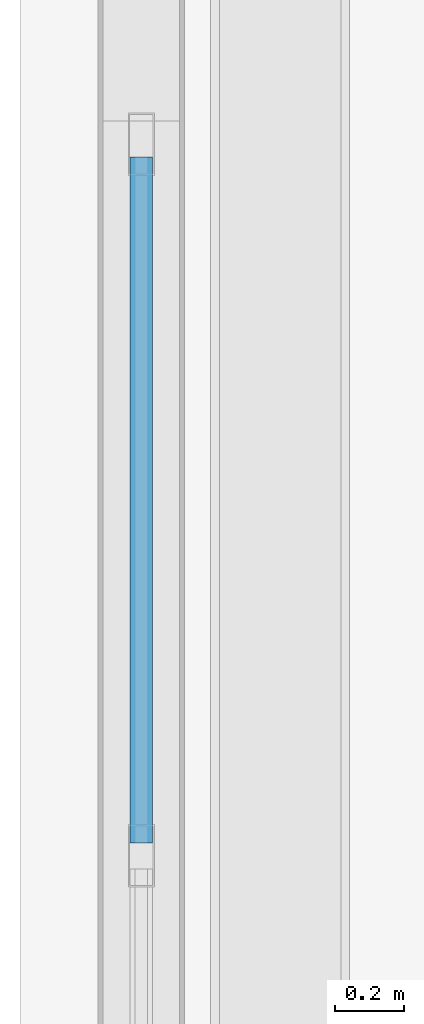
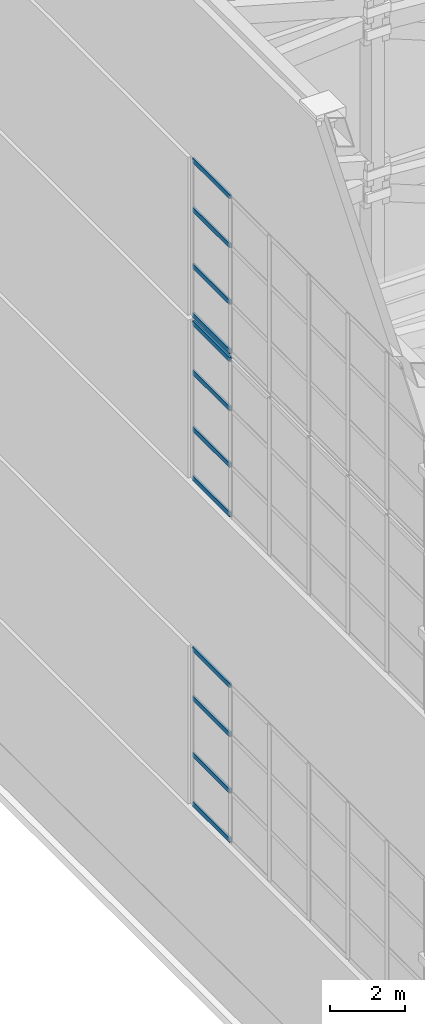
# One storey, part 19 of 47: 12 members, 3 elements without a shape of their own.
"""IFC4 building model written with IfcOpenShell, lengths in metres."""

from ifc_helpers import new_model, si_unit, direction, frame, origin, origin_2d, place, context, subcontext, project, spatial, hollow_rectangle, extrude, material, layer, layer_set, material_profile, profile_set, type_object, element, aggregate, save


model = new_model("IFC4")

# Units and contexts
model_context = context("Model", 3, precision=1e-05, world=origin(), true_north=direction((0.0, 1.0)))
body_context = subcontext(model_context, "Body", "Model", "MODEL_VIEW")
ifc_project = project(units=[si_unit("LENGTHUNIT", "METRE"), si_unit("AREAUNIT", "SQUARE_METRE"), si_unit("VOLUMEUNIT", "CUBIC_METRE"), si_unit("PLANEANGLEUNIT", "RADIAN"), si_unit("MASSUNIT", "GRAM", prefix="KILO")], contexts=[model_context])

# Site, building, storey
site_placement = place(None, origin())
site = spatial("IfcSite", under=ifc_project, at=site_placement, CompositionType="ELEMENT")
building_placement = place(site_placement, origin())
building = spatial("IfcBuilding", under=site, at=building_placement, Name="Qiaolan Cultural Towers", CompositionType="ELEMENT")
storey_placement = place(building_placement, frame((0.0, 0.0, 280.199951171875)))
storey = spatial("IfcBuildingStorey", under=building, at=storey_placement, Name="RF", CompositionType="ELEMENT", Elevation=280.199951171875)

# Curtain wall, members
ifc_material_1 = material(Name="Unitized Anodized Aluminium Curtain Wall System", Category="aluminium")
ifc_layer = layer(ifc_material_1, 0.199951171875)
ifc_layer_set = layer_set([ifc_layer], Name="Unitized Anodized Aluminium Curtain Wall System")
curtain_wall_type = type_object("IfcCurtainWallType", Name="CWS-06", PredefinedType="NOTDEFINED", material=ifc_layer_set)
curtain_wall_1_placement = place(storey_placement, origin())
curtain_wall_1 = element("IfcCurtainWall", 1, at=curtain_wall_1_placement, inside=storey, type_object=curtain_wall_type, Name="T1 Crown Tier 2 Fritted Screen Curtain Wall 7", PredefinedType="NOTDEFINED")
ifc_material_2 = material(Name="Extruded Aluminium 6063-T6", Category="aluminium")
ifc_material_profile = material_profile(ifc_material_2, hollow_rectangle(XDim=0.06494140625, YDim=0.14990234375, WallThickness=0.00390625, at=origin_2d()), Name="CWT-150x65x4")
ifc_profile_set = profile_set([ifc_material_profile], Name="Extruded Aluminium 6063-T6")
member_type = type_object("IfcMemberType", Name="CWS-06-TRN", PredefinedType="USERDEFINED", material=ifc_profile_set)
member_1_placement = place(storey_placement, frame((14.949951171875, 40.195068359375, 5.4326171875), z_axis=(0.0, -1.0, 0.0), x_axis=(1.0, 0.0, 0.0)))
member_1 = element("IfcMember", 2, at=member_1_placement, type_object=member_type, Name="CW-6 transom 1.1", ObjectType="TRANSOM", PredefinedType="USERDEFINED", context=body_context, shape_type="SweptSolid", body=[
    extrude(hollow_rectangle(XDim=0.06494140625, YDim=0.14990234375, WallThickness=0.00390625, at=origin_2d()), origin(), (0.0, 0.0, 1.0), 1.9775390625),
])
member_2_placement = place(storey_placement, frame((14.949951171875, 40.195068359375, 7.030029296875), z_axis=(0.0, -1.0, 0.0), x_axis=(1.0, 0.0, 0.0)))
member_2 = element("IfcMember", 3, at=member_2_placement, type_object=member_type, Name="CW-6 transom 1.2", ObjectType="TRANSOM", PredefinedType="USERDEFINED", context=body_context, shape_type="SweptSolid", body=[
    extrude(hollow_rectangle(XDim=0.06494140625, YDim=0.14990234375, WallThickness=0.00390625, at=origin_2d()), origin(), (0.0, 0.0, 1.0), 1.9775390625),
])
member_3_placement = place(storey_placement, frame((14.949951171875, 40.195068359375, 8.8701171875), z_axis=(0.0, -1.0, 0.0), x_axis=(1.0, 0.0, 0.0)))
member_3 = element("IfcMember", 4, at=member_3_placement, type_object=member_type, Name="CW-6 transom 1.3", ObjectType="TRANSOM", PredefinedType="USERDEFINED", context=body_context, shape_type="SweptSolid", body=[
    extrude(hollow_rectangle(XDim=0.06494140625, YDim=0.14990234375, WallThickness=0.00390625, at=origin_2d()), origin(), (0.0, 0.0, 1.0), 1.9775390625),
])
member_4_placement = place(storey_placement, frame((14.949951171875, 40.195068359375, 10.467529296875), z_axis=(0.0, -1.0, 0.0), x_axis=(1.0, 0.0, 0.0)))
member_4 = element("IfcMember", 5, at=member_4_placement, type_object=member_type, Name="CW-6 transom 1.4", ObjectType="TRANSOM", PredefinedType="USERDEFINED", context=body_context, shape_type="SweptSolid", body=[
    extrude(hollow_rectangle(XDim=0.06494140625, YDim=0.14990234375, WallThickness=0.00390625, at=origin_2d()), origin(), (0.0, 0.0, 1.0), 1.9775390625),
])
aggregate(curtain_wall_1, [member_1, member_2, member_3, member_4])

curtain_wall_2_placement = place(storey_placement, origin())
curtain_wall_2 = element("IfcCurtainWall", 6, at=curtain_wall_2_placement, inside=storey, type_object=curtain_wall_type, Name="T1 Crown Tier 4 Fritted Screen Curtain Wall 7", PredefinedType="NOTDEFINED")
member_5_placement = place(storey_placement, frame((14.949951171875, 40.195068359375, 16.032470703125), z_axis=(0.0, -1.0, 0.0), x_axis=(1.0, 0.0, 0.0)))
member_5 = element("IfcMember", 7, at=member_5_placement, type_object=member_type, Name="CW-6 transom 1.1", ObjectType="TRANSOM", PredefinedType="USERDEFINED", context=body_context, shape_type="SweptSolid", body=[
    extrude(hollow_rectangle(XDim=0.06494140625, YDim=0.14990234375, WallThickness=0.00390625, at=origin_2d()), origin(), (0.0, 0.0, 1.0), 1.9775390625),
])
member_6_placement = place(storey_placement, frame((14.949951171875, 40.195068359375, 17.630126953125), z_axis=(0.0, -1.0, 0.0), x_axis=(1.0, 0.0, 0.0)))
member_6 = element("IfcMember", 8, at=member_6_placement, type_object=member_type, Name="CW-6 transom 1.2", ObjectType="TRANSOM", PredefinedType="USERDEFINED", context=body_context, shape_type="SweptSolid", body=[
    extrude(hollow_rectangle(XDim=0.06494140625, YDim=0.14990234375, WallThickness=0.00390625, at=origin_2d()), origin(), (0.0, 0.0, 1.0), 1.9775390625),
])
member_7_placement = place(storey_placement, frame((14.949951171875, 40.195068359375, 19.469970703125), z_axis=(0.0, -1.0, 0.0), x_axis=(1.0, 0.0, 0.0)))
member_7 = element("IfcMember", 9, at=member_7_placement, type_object=member_type, Name="CW-6 transom 1.3", ObjectType="TRANSOM", PredefinedType="USERDEFINED", context=body_context, shape_type="SweptSolid", body=[
    extrude(hollow_rectangle(XDim=0.06494140625, YDim=0.14990234375, WallThickness=0.00390625, at=origin_2d()), origin(), (0.0, 0.0, 1.0), 1.9775390625),
])
member_8_placement = place(storey_placement, frame((14.949951171875, 40.195068359375, 21.067626953125), z_axis=(0.0, -1.0, 0.0), x_axis=(1.0, 0.0, 0.0)))
member_8 = element("IfcMember", 10, at=member_8_placement, type_object=member_type, Name="CW-6 transom 1.4", ObjectType="TRANSOM", PredefinedType="USERDEFINED", context=body_context, shape_type="SweptSolid", body=[
    extrude(hollow_rectangle(XDim=0.06494140625, YDim=0.14990234375, WallThickness=0.00390625, at=origin_2d()), origin(), (0.0, 0.0, 1.0), 1.9775390625),
])
aggregate(curtain_wall_2, [member_5, member_6, member_7, member_8])

curtain_wall_3_placement = place(storey_placement, origin())
curtain_wall_3 = element("IfcCurtainWall", 11, at=curtain_wall_3_placement, inside=storey, type_object=curtain_wall_type, Name="T1 Crown Tier 5 Fritted Screen Curtain Wall 7", PredefinedType="NOTDEFINED")
member_9_placement = place(storey_placement, frame((14.949951171875, 40.195068359375, 21.33251953125), z_axis=(0.0, -1.0, 0.0), x_axis=(1.0, 0.0, 0.0)))
member_9 = element("IfcMember", 12, at=member_9_placement, type_object=member_type, Name="CW-6 transom 1.1", ObjectType="TRANSOM", PredefinedType="USERDEFINED", context=body_context, shape_type="SweptSolid", body=[
    extrude(hollow_rectangle(XDim=0.06494140625, YDim=0.14990234375, WallThickness=0.00390625, at=origin_2d()), origin(), (0.0, 0.0, 1.0), 1.9775390625),
])
member_10_placement = place(storey_placement, frame((14.949951171875, 40.195068359375, 22.929931640625), z_axis=(0.0, -1.0, 0.0), x_axis=(1.0, 0.0, 0.0)))
member_10 = element("IfcMember", 13, at=member_10_placement, type_object=member_type, Name="CW-6 transom 1.2", ObjectType="TRANSOM", PredefinedType="USERDEFINED", context=body_context, shape_type="SweptSolid", body=[
    extrude(hollow_rectangle(XDim=0.06494140625, YDim=0.14990234375, WallThickness=0.00390625, at=origin_2d()), origin(), (0.0, 0.0, 1.0), 1.9775390625),
])
member_11_placement = place(storey_placement, frame((14.949951171875, 40.195068359375, 24.77001953125), z_axis=(0.0, -1.0, 0.0), x_axis=(1.0, 0.0, 0.0)))
member_11 = element("IfcMember", 14, at=member_11_placement, type_object=member_type, Name="CW-6 transom 1.3", ObjectType="TRANSOM", PredefinedType="USERDEFINED", context=body_context, shape_type="SweptSolid", body=[
    extrude(hollow_rectangle(XDim=0.06494140625, YDim=0.14990234375, WallThickness=0.00390625, at=origin_2d()), origin(), (0.0, 0.0, 1.0), 1.9775390625),
])
member_12_placement = place(storey_placement, frame((14.949951171875, 40.195068359375, 26.367431640625), z_axis=(0.0, -1.0, 0.0), x_axis=(1.0, 0.0, 0.0)))
member_12 = element("IfcMember", 15, at=member_12_placement, type_object=member_type, Name="CW-6 transom 1.4", ObjectType="TRANSOM", PredefinedType="USERDEFINED", context=body_context, shape_type="SweptSolid", body=[
    extrude(hollow_rectangle(XDim=0.06494140625, YDim=0.14990234375, WallThickness=0.00390625, at=origin_2d()), origin(), (0.0, 0.0, 1.0), 1.9775390625),
])
aggregate(curtain_wall_3, [member_9, member_10, member_11, member_12])

save(model, "model.ifc")
